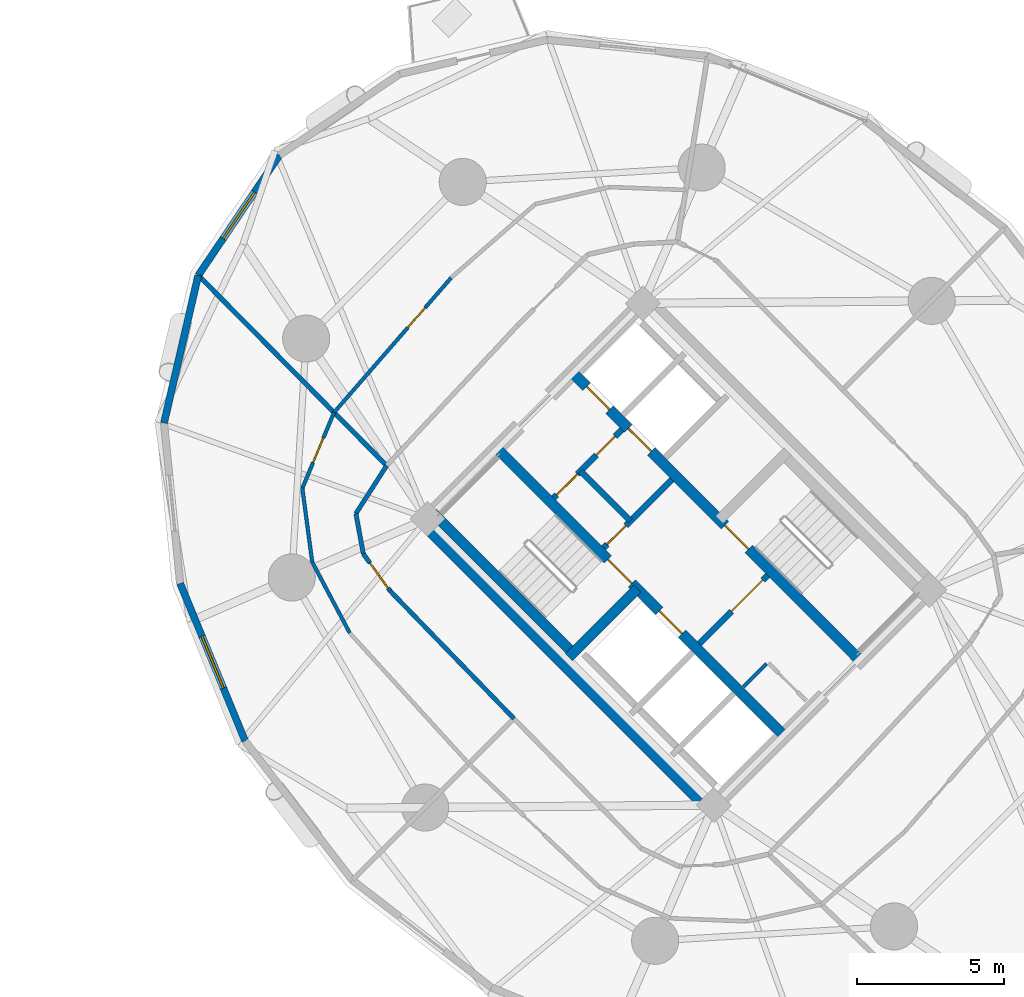
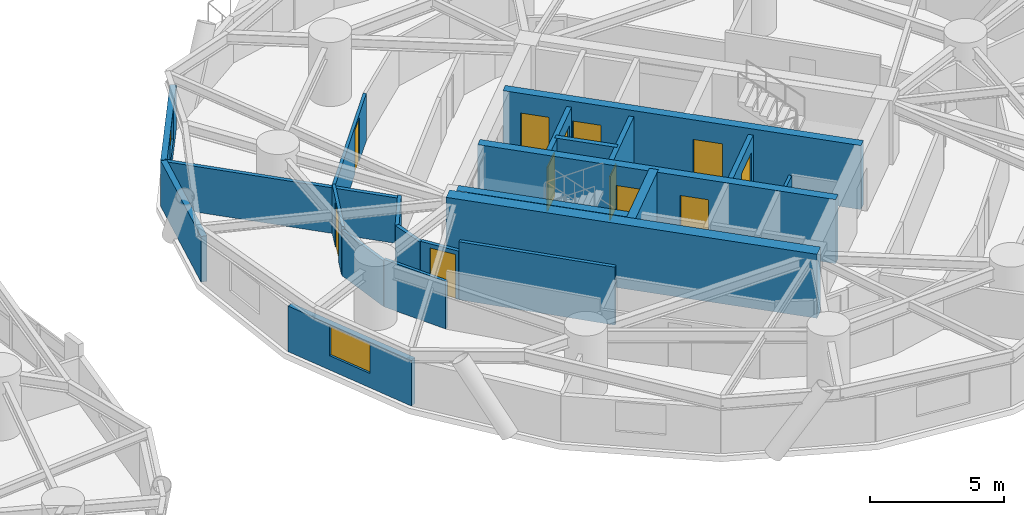
# One storey, part 12 of 17: 22 walls, 12 doors, 2 windows, 14 openings.
"""IFC4 building model written with IfcOpenShell, lengths in metres."""

from ifc_helpers import new_model, si_unit, direction, frame, frame_2d, origin, place, context, subcontext, project, spatial, rectangle, extrude, source, transform, mapped, material, layer, layer_set, type_object, element, fill, save


model = new_model("IFC4")

# Units and contexts
model_context = context("Model", 3, precision=1e-05, world=origin(), true_north=direction((0.0, 1.0)))
body_context = subcontext(model_context, "Body", "Model", "MODEL_VIEW")
ifc_project = project(units=[si_unit("LENGTHUNIT", "METRE"), si_unit("AREAUNIT", "SQUARE_METRE"), si_unit("VOLUMEUNIT", "CUBIC_METRE"), si_unit("PLANEANGLEUNIT", "RADIAN"), si_unit("MASSUNIT", "GRAM", prefix="KILO")], contexts=[model_context])

# Site, building, storey
site_placement = place(None, origin())
site = spatial("IfcSite", under=ifc_project, at=site_placement, CompositionType="ELEMENT")
building_placement = place(site_placement, origin())
building = spatial("IfcBuilding", under=site, at=building_placement, Name="Cununo Teusaquillo Station Towers", CompositionType="ELEMENT")
storey_placement = place(building_placement, frame((0.0, 0.0, 59.830078125)))
storey = spatial("IfcBuildingStorey", under=building, at=storey_placement, Name="L18", CompositionType="ELEMENT", Elevation=59.830078125)

# Wall, openings, doors
ifc_material_1 = material(Name="Concrete C50/60", Category="concrete")
ifc_layer_1 = layer(ifc_material_1, 0.35009765625)
ifc_layer_set_1 = layer_set([ifc_layer_1], Name="Concrete C50/60")
wall_type_1 = type_object("IfcWallType", Name="WL-CORE-350", PredefinedType="SHEAR", material=ifc_layer_set_1)
wall_1_placement = place(storey_placement, frame((61.095703125, 18.337646484375, 0.0), z_axis=(0.0, 0.0, 1.0), x_axis=(-0.707106781187, 0.707106781187, 0.0)))
wall_1 = element("IfcWall", 1, at=wall_1_placement, inside=storey, type_object=wall_type_1, Name="L18 Tower B Core Shear Wall IW", PredefinedType="SHEAR", context=body_context, shape_type="SweptSolid", body=[
    extrude(rectangle(XDim=13.800048828125, YDim=0.35009765625, at=frame_2d((6.89990234375, 0.0))), origin(), (0.0, 0.0, 1.0), 2.909912109375),
])
shared_shape_1 = source(origin(), body_context, "Body", "SweptSolid", [
    extrude(rectangle(XDim=1.10009765625, YDim=2.014892578125, at=frame_2d((0.550048828125, 1.00732421875))), frame((0.0, 0.18505859375, 0.0), z_axis=(0.0, -1.0, 0.0), x_axis=(1.0, 0.0, 0.0)), (0.0, 0.0, 1.0), 0.3701171875),
])
opening_1_placement = place(wall_1_placement, frame((4.89990234375, 0.0, 0.0)))
opening_1 = element("IfcOpeningElement", 2, at=opening_1_placement, cuts=wall_1, Name="Opening LD-01", PredefinedType="OPENING", context=body_context, shape_type="MappedRepresentation", body=[
    mapped(shared_shape_1, transform((0.0, 0.0, 0.0), x_axis=(1.0, 0.0, 0.0), y_axis=(0.0, 1.0, 0.0), z_axis=(0.0, 0.0, 1.0), scale=1.0)),
])
shared_shape_2 = source(origin(), body_context, "Body", "SweptSolid", [
    extrude(rectangle(XDim=1.14990234375, YDim=2.02001953125, at=frame_2d((0.574951171875, 1.010009765625))), frame((0.0, 0.18505859375, 0.0), z_axis=(0.0, -1.0, 0.0), x_axis=(1.0, 0.0, 0.0)), (0.0, 0.0, 1.0), 0.3701171875),
])
opening_2_placement = place(wall_1_placement, frame((7.320068359375, 0.0, 0.0)))
opening_2 = element("IfcOpeningElement", 3, at=opening_2_placement, cuts=wall_1, Name="Opening D-ST1", PredefinedType="OPENING", context=body_context, shape_type="MappedRepresentation", body=[
    mapped(shared_shape_2, transform((0.0, 0.0, 0.0), x_axis=(1.0, 0.0, 0.0), y_axis=(0.0, 1.0, 0.0), z_axis=(0.0, 0.0, 1.0), scale=1.0)),
])
ifc_material_2 = material(Name="Galvanised fire-rated hollow steel door assembly", Category="steel")
door_type_1 = type_object("IfcDoorType", Name="DR-LIFT-1100", OperationType="SLIDING_TO_LEFT", PredefinedType="DOOR", material=ifc_material_2)
shared_shape_3 = source(origin(), body_context, "Body", "SweptSolid", [
    extrude(rectangle(XDim=1.10009765625, YDim=2.014892578125, at=frame_2d((0.550048828125, 1.00732421875))), frame((0.0, 0.02490234375, 0.0), z_axis=(0.0, -1.0, 0.0), x_axis=(1.0, 0.0, 0.0)), (0.0, 0.0, 1.0), 0.050048828125),
])
door_1_placement = place(opening_1_placement, origin())
door_1 = element("IfcDoor", 4, at=door_1_placement, inside=storey, type_object=door_type_1, Name="L18 Lift FL-T2 Sliding Landing Door", OperationType="SLIDING_TO_RIGHT", OverallHeight=2.014892578125, OverallWidth=1.10009765625, PredefinedType="DOOR", context=body_context, shape_type="MappedRepresentation", body=[
    mapped(shared_shape_3, transform((0.0, 0.0, 0.0), x_axis=(1.0, 0.0, 0.0), y_axis=(0.0, 1.0, 0.0), z_axis=(0.0, 0.0, 1.0), scale=1.0)),
])
fill(opening_1, door_1)
ifc_material_3 = material(Name="Galvanised fire-rated hollow steel door assembly", Category="steel")
door_type_2 = type_object("IfcDoorType", Name="DR-STAIR-1150", OperationType="NOTDEFINED", PredefinedType="DOOR", material=ifc_material_3)
shared_shape_4 = source(origin(), body_context, "Body", "SweptSolid", [
    extrude(rectangle(XDim=1.14990234375, YDim=2.02001953125, at=frame_2d((0.574951171875, 1.010009765625))), frame((0.0, 0.02490234375, 0.0), z_axis=(0.0, -1.0, 0.0), x_axis=(1.0, 0.0, 0.0)), (0.0, 0.0, 1.0), 0.050048828125),
])
door_2_placement = place(opening_2_placement, origin())
door_2 = element("IfcDoor", 5, at=door_2_placement, inside=storey, type_object=door_type_2, Name="L18 Tower B Exit Stair 1 Fire Door", OperationType="SINGLE_SWING_RIGHT", OverallHeight=2.02001953125, OverallWidth=1.14990234375, PredefinedType="DOOR", context=body_context, shape_type="MappedRepresentation", body=[
    mapped(shared_shape_4, transform((0.0, 0.0, 0.0), x_axis=(1.0, 0.0, 0.0), y_axis=(0.0, 1.0, 0.0), z_axis=(0.0, 0.0, 1.0), scale=1.0)),
])
fill(opening_2, door_2)

wall_2_placement = place(storey_placement, frame((63.662353515625, 20.904296875, 0.0), z_axis=(0.0, 0.0, 1.0), x_axis=(-0.707106781187, 0.707106781187, 0.0)))
wall_2 = element("IfcWall", 6, at=wall_2_placement, inside=storey, type_object=wall_type_1, Name="L18 Tower B Core Shear Wall IE", PredefinedType="SHEAR", context=body_context, shape_type="SweptSolid", body=[
    extrude(rectangle(XDim=13.800048828125, YDim=0.35009765625, at=frame_2d((6.89990234375, 0.0))), origin(), (0.0, 0.0, 1.0), 2.909912109375),
])
opening_3_placement = place(wall_2_placement, frame((10.02490234375, 0.0, 0.0)))
opening_3 = element("IfcOpeningElement", 7, at=opening_3_placement, cuts=wall_2, Name="Opening LD-01", PredefinedType="OPENING", context=body_context, shape_type="MappedRepresentation", body=[
    mapped(shared_shape_1, transform((0.0, 0.0, 0.0), x_axis=(1.0, 0.0, 0.0), y_axis=(0.0, 1.0, 0.0), z_axis=(0.0, 0.0, 1.0), scale=1.0)),
])
opening_4_placement = place(wall_2_placement, frame((12.02490234375, 0.0, 0.0)))
opening_4 = element("IfcOpeningElement", 8, at=opening_4_placement, cuts=wall_2, Name="Opening LD-01", PredefinedType="OPENING", context=body_context, shape_type="MappedRepresentation", body=[
    mapped(shared_shape_1, transform((0.0, 0.0, 0.0), x_axis=(1.0, 0.0, 0.0), y_axis=(0.0, 1.0, 0.0), z_axis=(0.0, 0.0, 1.0), scale=1.0)),
])
opening_5_placement = place(wall_2_placement, frame((5.330078125, 0.0, 0.0)))
opening_5 = element("IfcOpeningElement", 9, at=opening_5_placement, cuts=wall_2, Name="Opening D-ST1", PredefinedType="OPENING", context=body_context, shape_type="MappedRepresentation", body=[
    mapped(shared_shape_2, transform((0.0, 0.0, 0.0), x_axis=(1.0, 0.0, 0.0), y_axis=(0.0, 1.0, 0.0), z_axis=(0.0, 0.0, 1.0), scale=1.0)),
])
door_3_placement = place(opening_3_placement, origin())
door_3 = element("IfcDoor", 10, at=door_3_placement, inside=storey, type_object=door_type_1, Name="L18 Lift PL-T2-L1 Sliding Landing Door", OperationType="SLIDING_TO_LEFT", OverallHeight=2.014892578125, OverallWidth=1.10009765625, PredefinedType="DOOR", context=body_context, shape_type="MappedRepresentation", body=[
    mapped(shared_shape_3, transform((0.0, 0.0, 0.0), x_axis=(1.0, 0.0, 0.0), y_axis=(0.0, 1.0, 0.0), z_axis=(0.0, 0.0, 1.0), scale=1.0)),
])
fill(opening_3, door_3)
door_4_placement = place(opening_4_placement, origin())
door_4 = element("IfcDoor", 11, at=door_4_placement, inside=storey, type_object=door_type_1, Name="L18 Lift PL-T2-L2 Sliding Landing Door", OperationType="SLIDING_TO_RIGHT", OverallHeight=2.014892578125, OverallWidth=1.10009765625, PredefinedType="DOOR", context=body_context, shape_type="MappedRepresentation", body=[
    mapped(shared_shape_3, transform((0.0, 0.0, 0.0), x_axis=(1.0, 0.0, 0.0), y_axis=(0.0, 1.0, 0.0), z_axis=(0.0, 0.0, 1.0), scale=1.0)),
])
fill(opening_4, door_4)
door_5_placement = place(opening_5_placement, origin())
door_5 = element("IfcDoor", 12, at=door_5_placement, inside=storey, type_object=door_type_2, Name="L18 Tower B Exit Stair 2 Fire Door", OperationType="SINGLE_SWING_LEFT", OverallHeight=2.02001953125, OverallWidth=1.14990234375, PredefinedType="DOOR", context=body_context, shape_type="MappedRepresentation", body=[
    mapped(shared_shape_4, transform((0.0, 0.0, 0.0), x_axis=(1.0, 0.0, 0.0), y_axis=(0.0, 1.0, 0.0), z_axis=(0.0, 0.0, 1.0), scale=1.0)),
])
fill(opening_5, door_5)

# Walls
wall_3_placement = place(storey_placement, frame((53.922119140625, 21.14111328125, 0.0), z_axis=(0.0, 0.0, 1.0), x_axis=(-0.707106781187, 0.707106781187, 0.0)))
element("IfcWall", 13, at=wall_3_placement, inside=storey, type_object=wall_type_1, Name="L18 Tower B Core Shear Wall ST1W", PredefinedType="SHEAR", context=body_context, shape_type="SweptSolid", body=[
    extrude(rectangle(XDim=6.7451171875, YDim=0.35009765625, at=frame_2d((3.37255859375, 0.0))), origin(), (0.0, 0.0, 1.0), 2.909912109375),
])
wall_4_placement = place(storey_placement, frame((53.7841796875, 21.00341796875, 0.0), z_axis=(0.0, 0.0, 1.0), x_axis=(0.707106781187, 0.707106781187, 0.0)))
element("IfcWall", 14, at=wall_4_placement, inside=storey, type_object=wall_type_1, Name="L18 Tower B Core Shear Wall ST1S", PredefinedType="SHEAR", context=body_context, shape_type="SweptSolid", body=[
    extrude(rectangle(XDim=3.284912109375, YDim=0.35009765625, at=frame_2d((1.642578125, 0.0))), origin(), (0.0, 0.0, 1.0), 2.909912109375),
])
ifc_material_4 = material(Name="Concrete C60/75", Category="concrete")
ifc_layer_2 = layer(ifc_material_4, 0.5)
ifc_layer_set_2 = layer_set([ifc_layer_2], Name="Concrete C60/75")
wall_type_2 = type_object("IfcWallType", Name="WL-CORE-500", PredefinedType="SHEAR", material=ifc_layer_set_2)
wall_5_placement = place(storey_placement, frame((58.772705078125, 15.6611328125, 0.0), z_axis=(0.0, 0.0, 1.0), x_axis=(-0.707106781187, 0.707106781187, 0.0)))
element("IfcWall", 15, at=wall_5_placement, inside=storey, type_object=wall_type_2, Name="L18 Tower B Core Shear Wall W", PredefinedType="SHEAR", context=body_context, shape_type="SweptSolid", body=[
    extrude(rectangle(XDim=14.2998046875, YDim=0.5, at=frame_2d((7.14990234375, 0.0))), origin(), (0.0, 0.0, 1.0), 2.909912109375),
])

# Wall, opening, window
ifc_material_5 = material(Name="Precast concrete C40/50", Category="concrete")
ifc_layer_3 = layer(ifc_material_5, 0.239990234375)
ifc_layer_set_3 = layer_set([ifc_layer_3], Name="Precast concrete C40/50")
wall_type_3 = type_object("IfcWallType", Name="WL-EXT-240", PredefinedType="SOLIDWALL", material=ifc_layer_set_3)
wall_6_placement = place(storey_placement, frame((41.185791015625, 33.969482421875, 0.0), z_axis=(0.0, 0.0, 1.0), x_axis=(0.559638693991, 0.828736708604, 0.0)))
wall_6 = element("IfcWall", 16, at=wall_6_placement, inside=storey, type_object=wall_type_3, Name="L18 Tower B Exterior Facade Wall C05", PredefinedType="SOLIDWALL", context=body_context, shape_type="SweptSolid", body=[
    extrude(rectangle(XDim=4.929931640625, YDim=0.239990234375, at=frame_2d((2.46484375, 0.0))), origin(), (0.0, 0.0, 1.0), 2.072998046875),
])
shared_shape_5 = source(origin(), body_context, "Body", "SweptSolid", [
    extrude(rectangle(XDim=1.89990234375, YDim=1.35009765625, at=frame_2d((0.949951171875, 0.675048828125))), frame((0.0, 0.1298828125, 0.0), z_axis=(0.0, -1.0, 0.0), x_axis=(1.0, 0.0, 0.0)), (0.0, 0.0, 1.0), 0.260009765625),
])
opening_6_placement = place(wall_6_placement, frame((1.514892578125, 0.0, 0.64990234375)))
opening_6 = element("IfcOpeningElement", 17, at=opening_6_placement, cuts=wall_6, Name="Opening WN-02", PredefinedType="OPENING", context=body_context, shape_type="MappedRepresentation", body=[
    mapped(shared_shape_5, transform((0.0, 0.0, 0.0), x_axis=(1.0, 0.0, 0.0), y_axis=(0.0, 1.0, 0.0), z_axis=(0.0, 0.0, 1.0), scale=1.0)),
])
ifc_material_6 = material(Name="Operable acoustic tinted low-E double glazing", Category="glass")
window_type = type_object("IfcWindowType", Name="WIN-OPER-1900", PartitioningType="DOUBLE_PANEL_VERTICAL", PredefinedType="WINDOW", material=ifc_material_6)
shared_shape_6 = source(origin(), body_context, "Body", "SweptSolid", [
    extrude(rectangle(XDim=1.89990234375, YDim=1.35009765625, at=frame_2d((0.949951171875, 0.675048828125))), frame((0.0, 0.030029296875, 0.0), z_axis=(0.0, -1.0, 0.0), x_axis=(1.0, 0.0, 0.0)), (0.0, 0.0, 1.0), 0.06005859375),
])
window_1_placement = place(opening_6_placement, origin())
window_1 = element("IfcWindow", 18, at=window_1_placement, inside=storey, type_object=window_type, Name="L18 Tower B Facade Window C05", OverallHeight=1.35009765625, OverallWidth=1.89990234375, PartitioningType="DOUBLE_PANEL_VERTICAL", PredefinedType="WINDOW", context=body_context, shape_type="MappedRepresentation", body=[
    mapped(shared_shape_6, transform((0.0, 0.0, 0.0), x_axis=(1.0, 0.0, 0.0), y_axis=(0.0, 1.0, 0.0), z_axis=(0.0, 0.0, 1.0), scale=1.0)),
])
fill(opening_6, window_1)

# Wall
wall_7_placement = place(storey_placement, frame((40.023681640625, 28.95654296875, 0.0), z_axis=(0.0, 0.0, 1.0), x_axis=(0.225833060959, 0.974166016949, 0.0)))
element("IfcWall", 19, at=wall_7_placement, inside=storey, type_object=wall_type_3, Name="L18 Tower B Exterior Facade Wall C06", PredefinedType="SOLIDWALL", context=body_context, shape_type="SweptSolid", body=[
    extrude(rectangle(XDim=5.14599609375, YDim=0.239990234375, at=frame_2d((2.572998046875, 0.0))), origin(), (0.0, 0.0, 1.0), 2.072998046875),
])

# Wall, opening, window
wall_8_placement = place(storey_placement, frame((42.77783203125, 18.155517578125, 0.0), z_axis=(0.0, 0.0, 1.0), x_axis=(-0.381027682565, 0.924563629567, 0.0)))
wall_8 = element("IfcWall", 20, at=wall_8_placement, inside=storey, type_object=wall_type_3, Name="L18 Tower B Exterior Facade Wall C08", PredefinedType="SOLIDWALL", context=body_context, shape_type="SweptSolid", body=[
    extrude(rectangle(XDim=5.78857421875, YDim=0.239990234375, at=frame_2d((2.894287109375, 0.0))), origin(), (0.0, 0.0, 1.0), 2.072998046875),
])
opening_7_placement = place(wall_8_placement, frame((1.944091796875, 0.0, 0.64990234375)))
opening_7 = element("IfcOpeningElement", 21, at=opening_7_placement, cuts=wall_8, Name="Opening WN-02", PredefinedType="OPENING", context=body_context, shape_type="MappedRepresentation", body=[
    mapped(shared_shape_5, transform((0.0, 0.0, 0.0), x_axis=(1.0, 0.0, 0.0), y_axis=(0.0, 1.0, 0.0), z_axis=(0.0, 0.0, 1.0), scale=1.0)),
])
window_2_placement = place(opening_7_placement, origin())
window_2 = element("IfcWindow", 22, at=window_2_placement, inside=storey, type_object=window_type, Name="L18 Tower B Facade Window C08", OverallHeight=1.35009765625, OverallWidth=1.89990234375, PartitioningType="DOUBLE_PANEL_VERTICAL", PredefinedType="WINDOW", context=body_context, shape_type="MappedRepresentation", body=[
    mapped(shared_shape_6, transform((0.0, 0.0, 0.0), x_axis=(1.0, 0.0, 0.0), y_axis=(0.0, 1.0, 0.0), z_axis=(0.0, 0.0, 1.0), scale=1.0)),
])
fill(opening_7, window_2)

# Wall
ifc_material_7 = material(Name="Fire-rated gypsum plasterboard partition assembly", Category="gypsum")
ifc_layer_4 = layer(ifc_material_7, 0.125)
ifc_layer_set_4 = layer_set([ifc_layer_4], Name="Fire-rated gypsum plasterboard partition assembly")
wall_type_4 = type_object("IfcWallType", Name="WL-PART-125", PredefinedType="PARTITIONING", material=ifc_layer_set_4)
wall_9_placement = place(storey_placement, frame((59.713134765625, 19.99560546875, 0.0), z_axis=(0.0, 0.0, 1.0), x_axis=(0.707217726, 0.706995818963, 0.0)))
element("IfcWall", 23, at=wall_9_placement, inside=storey, type_object=wall_type_4, Name="L18 Tower B South-West Compact Store North Wall", PredefinedType="PARTITIONING", context=body_context, shape_type="SweptSolid", body=[
    extrude(rectangle(XDim=1.10009765625, YDim=0.125, at=frame_2d((0.550048828125, 0.0))), origin(), (0.0, 0.0, 1.0), 2.635009765625),
])

# Wall, opening, door
wall_10_placement = place(storey_placement, frame((49.77978515625, 33.89306640625, 0.0), z_axis=(0.0, 0.0, 1.0), x_axis=(-0.656115925284, -0.754660117264, 0.0)))
wall_10 = element("IfcWall", 24, at=wall_10_placement, inside=storey, type_object=wall_type_4, Name="L18 Tower B Hotel Private Banquet Salon Concentric Partition Wall C05", PredefinedType="PARTITIONING", context=body_context, shape_type="SweptSolid", body=[
    extrude(rectangle(XDim=6.06494140625, YDim=0.125, at=frame_2d((3.032470703125, 0.0))), origin(), (0.0, 0.0, 1.0), 2.158935546875),
])
shared_shape_7 = source(origin(), body_context, "Body", "SweptSolid", [
    extrude(rectangle(XDim=0.89990234375, YDim=2.0048828125, at=frame_2d((0.449951171875, 1.00244140625))), frame((0.0, 0.072509765625, 0.0), z_axis=(0.0, -1.0, 0.0), x_axis=(1.0, 0.0, 0.0)), (0.0, 0.0, 1.0), 0.14501953125),
])
opening_8_placement = place(wall_10_placement, frame((1.351318359375, 0.0, 0.0)))
opening_8 = element("IfcOpeningElement", 25, at=opening_8_placement, cuts=wall_10, Name="Opening D-IN1", PredefinedType="OPENING", context=body_context, shape_type="MappedRepresentation", body=[
    mapped(shared_shape_7, transform((0.0, 0.0, 0.0), x_axis=(1.0, 0.0, 0.0), y_axis=(0.0, 1.0, 0.0), z_axis=(0.0, 0.0, 1.0), scale=1.0)),
])
ifc_material_8 = material(Name="Acoustic solid-core hardwood leaf assembly", Category="wood")
door_type_3 = type_object("IfcDoorType", Name="DR-INT-900", OperationType="NOTDEFINED", PredefinedType="DOOR", material=ifc_material_8)
shared_shape_8 = source(origin(), body_context, "Body", "SweptSolid", [
    extrude(rectangle(XDim=0.89990234375, YDim=2.0048828125, at=frame_2d((0.449951171875, 1.00244140625))), frame((0.0, 0.02490234375, 0.0), z_axis=(0.0, -1.0, 0.0), x_axis=(1.0, 0.0, 0.0)), (0.0, 0.0, 1.0), 0.050048828125),
])
door_6_placement = place(opening_8_placement, origin())
door_6 = element("IfcDoor", 26, at=door_6_placement, inside=storey, type_object=door_type_3, Name="L18 Tower B Hotel Private Banquet Salon Connecting Door", OperationType="SINGLE_SWING_LEFT", OverallHeight=2.0048828125, OverallWidth=0.89990234375, PredefinedType="DOOR", context=body_context, shape_type="MappedRepresentation", body=[
    mapped(shared_shape_8, transform((0.0, 0.0, 0.0), x_axis=(1.0, 0.0, 0.0), y_axis=(0.0, 1.0, 0.0), z_axis=(0.0, 0.0, 1.0), scale=1.0)),
])
fill(opening_8, door_6)

wall_11_placement = place(storey_placement, frame((45.800537109375, 29.316162109375, 0.0), z_axis=(0.0, 0.0, 1.0), x_axis=(-0.386006506755, -0.922496057847, 0.0)))
wall_11 = element("IfcWall", 27, at=wall_11_placement, inside=storey, type_object=wall_type_4, Name="L18 Tower B Hotel Concierge & Library Club Concentric Partition Wall C06", PredefinedType="PARTITIONING", context=body_context, shape_type="SweptSolid", body=[
    extrude(rectangle(XDim=2.79052734375, YDim=0.125, at=frame_2d((1.395263671875, 0.0))), origin(), (0.0, 0.0, 1.0), 2.204833984375),
])
opening_9_placement = place(wall_11_placement, frame((0.9453125, 0.0, 0.0)))
opening_9 = element("IfcOpeningElement", 28, at=opening_9_placement, cuts=wall_11, Name="Opening D-IN1", PredefinedType="OPENING", context=body_context, shape_type="MappedRepresentation", body=[
    mapped(shared_shape_7, transform((0.0, 0.0, 0.0), x_axis=(1.0, 0.0, 0.0), y_axis=(0.0, 1.0, 0.0), z_axis=(0.0, 0.0, 1.0), scale=1.0)),
])
door_7_placement = place(opening_9_placement, origin())
door_7 = element("IfcDoor", 29, at=door_7_placement, inside=storey, type_object=door_type_3, Name="L18 Tower B Hotel Concierge & Library Club Connecting Door", OperationType="SINGLE_SWING_LEFT", OverallHeight=2.0048828125, OverallWidth=0.89990234375, PredefinedType="DOOR", context=body_context, shape_type="MappedRepresentation", body=[
    mapped(shared_shape_8, transform((0.0, 0.0, 0.0), x_axis=(1.0, 0.0, 0.0), y_axis=(0.0, 1.0, 0.0), z_axis=(0.0, 0.0, 1.0), scale=1.0)),
])
fill(opening_9, door_7)

# Walls
wall_12_placement = place(storey_placement, frame((44.723388671875, 26.741943359375, 0.0), z_axis=(0.0, 0.0, 1.0), x_axis=(0.132397420602, -0.991196712574, 0.0)))
element("IfcWall", 30, at=wall_12_placement, inside=storey, type_object=wall_type_4, Name="L18 Tower B Hotel Concierge & Library Club Concentric Partition Wall C07", PredefinedType="PARTITIONING", context=body_context, shape_type="SweptSolid", body=[
    extrude(rectangle(XDim=2.53173828125, YDim=0.125, at=frame_2d((1.265869140625, 0.0))), origin(), (0.0, 0.0, 1.0), 2.072998046875),
])
wall_13_placement = place(storey_placement, frame((45.05859375, 24.232421875, 0.0), z_axis=(0.0, 0.0, 1.0), x_axis=(0.467739245961, -0.883866504506, 0.0)))
element("IfcWall", 31, at=wall_13_placement, inside=storey, type_object=wall_type_4, Name="L18 Tower B Hotel Concierge & Library Club Concentric Partition Wall C08", PredefinedType="PARTITIONING", context=body_context, shape_type="SweptSolid", body=[
    extrude(rectangle(XDim=2.719970703125, YDim=0.125, at=frame_2d((1.35986328125, 0.0))), origin(), (0.0, 0.0, 1.0), 2.158935546875),
])
ifc_material_9 = material(Name="Fire-rated gypsum plasterboard partition assembly", Category="gypsum")
ifc_layer_5 = layer(ifc_material_9, 0.14990234375)
ifc_layer_set_5 = layer_set([ifc_layer_5], Name="Fire-rated gypsum plasterboard partition assembly")
wall_type_5 = type_object("IfcWallType", Name="WL-PART-150", PredefinedType="PARTITIONING", material=ifc_layer_set_5)
wall_14_placement = place(storey_placement, frame((47.58837890625, 27.51025390625, 0.0), z_axis=(0.0, 0.0, 1.0), x_axis=(-0.540202619347, -0.841534984449, 0.0)))
element("IfcWall", 32, at=wall_14_placement, inside=storey, type_object=wall_type_5, Name="L18 Tower B Corridor Ring Wall C06", PredefinedType="PARTITIONING", context=body_context, shape_type="SweptSolid", body=[
    extrude(rectangle(XDim=1.934814453125, YDim=0.14990234375, at=frame_2d((0.96728515625, 0.0))), origin(), (0.0, 0.0, 1.0), 2.158935546875),
])
wall_15_placement = place(storey_placement, frame((46.543212890625, 25.882080078125, 0.0), z_axis=(0.0, 0.0, 1.0), x_axis=(0.181153502579, -0.983454832976, 0.0)))
element("IfcWall", 33, at=wall_15_placement, inside=storey, type_object=wall_type_5, Name="L18 Tower B Corridor Ring Wall C07", PredefinedType="PARTITIONING", context=body_context, shape_type="SweptSolid", body=[
    extrude(rectangle(XDim=1.39208984375, YDim=0.14990234375, at=frame_2d((0.696044921875, 0.0))), origin(), (0.0, 0.0, 1.0), 2.158935546875),
])

# Wall, opening, door
wall_16_placement = place(storey_placement, frame((46.79541015625, 24.512939453125, 0.0), z_axis=(0.0, 0.0, 1.0), x_axis=(0.585628197524, -0.810579801294, 0.0)))
wall_16 = element("IfcWall", 34, at=wall_16_placement, inside=storey, type_object=wall_type_5, Name="L18 Tower B Corridor Ring Wall C08", PredefinedType="PARTITIONING", context=body_context, shape_type="SweptSolid", body=[
    extrude(rectangle(XDim=1.55419921875, YDim=0.14990234375, at=frame_2d((0.777099609375, 0.0))), origin(), (0.0, 0.0, 1.0), 2.204833984375),
])
shared_shape_9 = source(origin(), body_context, "Body", "SweptSolid", [
    extrude(rectangle(XDim=1.050048828125, YDim=2.014892578125, at=frame_2d((0.52490234375, 1.00732421875))), frame((0.0, 0.0849609375, 0.0), z_axis=(0.0, -1.0, 0.0), x_axis=(1.0, 0.0, 0.0)), (0.0, 0.0, 1.0), 0.169921875),
])
opening_10_placement = place(wall_16_placement, frame((0.384033203125, 0.0, 0.0)))
opening_10 = element("IfcOpeningElement", 35, at=opening_10_placement, cuts=wall_16, Name="Opening D-SU1", PredefinedType="OPENING", context=body_context, shape_type="MappedRepresentation", body=[
    mapped(shared_shape_9, transform((0.0, 0.0, 0.0), x_axis=(1.0, 0.0, 0.0), y_axis=(0.0, 1.0, 0.0), z_axis=(0.0, 0.0, 1.0), scale=1.0)),
])
ifc_material_10 = material(Name="Acoustic solid-core hardwood leaf assembly", Category="wood")
door_type_4 = type_object("IfcDoorType", Name="DR-SUITE-1050", OperationType="NOTDEFINED", PredefinedType="DOOR", material=ifc_material_10)
shared_shape_10 = source(origin(), body_context, "Body", "SweptSolid", [
    extrude(rectangle(XDim=1.050048828125, YDim=2.014892578125, at=frame_2d((0.52490234375, 1.00732421875))), frame((0.0, 0.02490234375, 0.0), z_axis=(0.0, -1.0, 0.0), x_axis=(1.0, 0.0, 0.0)), (0.0, 0.0, 1.0), 0.050048828125),
])
door_8_placement = place(opening_10_placement, origin())
door_8 = element("IfcDoor", 36, at=door_8_placement, inside=storey, type_object=door_type_4, Name="L18 Tower B Hotel Concierge & Library Club Entrance Door", OperationType="SINGLE_SWING_RIGHT", OverallHeight=2.014892578125, OverallWidth=1.050048828125, PredefinedType="DOOR", context=body_context, shape_type="MappedRepresentation", body=[
    mapped(shared_shape_10, transform((0.0, 0.0, 0.0), x_axis=(1.0, 0.0, 0.0), y_axis=(0.0, 1.0, 0.0), z_axis=(0.0, 0.0, 1.0), scale=1.0)),
])
fill(opening_10, door_8)

# Walls
wall_17_placement = place(storey_placement, frame((47.70556640625, 23.253173828125, 0.0), z_axis=(0.0, 0.0, 1.0), x_axis=(0.696179266346, -0.717867974707, 0.0)))
element("IfcWall", 37, at=wall_17_placement, inside=storey, type_object=wall_type_5, Name="L18 Tower B Corridor Ring Wall C09", PredefinedType="PARTITIONING", context=body_context, shape_type="SweptSolid", body=[
    extrude(rectangle(XDim=6.044677734375, YDim=0.14990234375, at=frame_2d((3.0224609375, 0.0))), origin(), (0.0, 0.0, 1.0), 2.635009765625),
])
ifc_material_11 = material(Name="Fire-rated gypsum plasterboard partition assembly", Category="gypsum")
ifc_layer_6 = layer(ifc_material_11, 0.159912109375)
ifc_layer_set_6 = layer_set([ifc_layer_6], Name="Fire-rated gypsum plasterboard partition assembly")
wall_type_6 = type_object("IfcWallType", Name="WL-PART-160", PredefinedType="PARTITIONING", material=ifc_layer_set_6)
wall_18_placement = place(storey_placement, frame((47.58837890625, 27.51025390625, 0.0), z_axis=(0.0, 0.0, 1.0), x_axis=(-0.703506421614, 0.710688901523, 0.0)))
element("IfcWall", 38, at=wall_18_placement, inside=storey, type_object=wall_type_6, Name="L18 Tower B Radial Suite Partition R03", PredefinedType="PARTITIONING", context=body_context, shape_type="SweptSolid", body=[
    extrude(rectangle(XDim=9.07568359375, YDim=0.159912109375, at=frame_2d((4.537841796875, 0.0))), origin(), (0.0, 0.0, 1.0), 2.072998046875),
])

# Wall, opening, door
ifc_material_12 = material(Name="Fire-rated gypsum plasterboard partition assembly", Category="gypsum")
ifc_layer_7 = layer(ifc_material_12, 0.199951171875)
ifc_layer_set_7 = layer_set([ifc_layer_7], Name="Fire-rated gypsum plasterboard partition assembly")
wall_type_7 = type_object("IfcWallType", Name="WL-PART-200", PredefinedType="PARTITIONING", material=ifc_layer_set_7)
wall_19_placement = place(storey_placement, frame((58.214111328125, 21.466552734375, 0.0), z_axis=(0.0, 0.0, 1.0), x_axis=(0.707106781187, 0.707106781187, 0.0)))
wall_19 = element("IfcWall", 39, at=wall_19_placement, inside=storey, type_object=wall_type_7, Name="L18 Tower B Firefighting Lift Lobby South Fire Wall", PredefinedType="PARTITIONING", context=body_context, shape_type="SweptSolid", body=[
    extrude(rectangle(XDim=3.280029296875, YDim=0.199951171875, at=frame_2d((1.64013671875, 0.0))), origin(), (0.0, 0.0, 1.0), 2.635009765625),
])
shared_shape_11 = source(origin(), body_context, "Body", "SweptSolid", [
    extrude(rectangle(XDim=1.5, YDim=2.02001953125, at=frame_2d((0.75, 1.010009765625))), frame((0.0, 0.10986328125, 0.0), z_axis=(0.0, -1.0, 0.0), x_axis=(1.0, 0.0, 0.0)), (0.0, 0.0, 1.0), 0.219970703125),
])
opening_11_placement = place(wall_19_placement, frame((1.550048828125, 0.0, 0.0)))
opening_11 = element("IfcOpeningElement", 40, at=opening_11_placement, cuts=wall_19, Name="Opening D-LB1", PredefinedType="OPENING", context=body_context, shape_type="MappedRepresentation", body=[
    mapped(shared_shape_11, transform((0.0, 0.0, 0.0), x_axis=(1.0, 0.0, 0.0), y_axis=(0.0, 1.0, 0.0), z_axis=(0.0, 0.0, 1.0), scale=1.0)),
])
ifc_material_13 = material(Name="Galvanised fire-rated hollow steel door assembly", Category="steel")
door_type_5 = type_object("IfcDoorType", Name="DR-LOBBY-1500", OperationType="DOUBLE_DOOR_SINGLE_SWING", PredefinedType="DOOR", material=ifc_material_13)
shared_shape_12 = source(origin(), body_context, "Body", "SweptSolid", [
    extrude(rectangle(XDim=1.5, YDim=2.02001953125, at=frame_2d((0.75, 1.010009765625))), frame((0.0, 0.02490234375, 0.0), z_axis=(0.0, -1.0, 0.0), x_axis=(1.0, 0.0, 0.0)), (0.0, 0.0, 1.0), 0.050048828125),
])
door_9_placement = place(opening_11_placement, origin())
door_9 = element("IfcDoor", 41, at=door_9_placement, inside=storey, type_object=door_type_5, Name="L18 Tower B Firefighting Lift Lobby South Fire Door", OperationType="DOUBLE_DOOR_SINGLE_SWING", OverallHeight=2.02001953125, OverallWidth=1.5, PredefinedType="DOOR", context=body_context, shape_type="MappedRepresentation", body=[
    mapped(shared_shape_12, transform((0.0, 0.0, 0.0), x_axis=(1.0, 0.0, 0.0), y_axis=(0.0, 1.0, 0.0), z_axis=(0.0, 0.0, 1.0), scale=1.0)),
])
fill(opening_11, door_9)

wall_20_placement = place(storey_placement, frame((54.96142578125, 24.71923828125, 0.0), z_axis=(0.0, 0.0, 1.0), x_axis=(0.707106781187, 0.707106781187, 0.0)))
wall_20 = element("IfcWall", 42, at=wall_20_placement, inside=storey, type_object=wall_type_7, Name="L18 Tower B Firefighting Lift Lobby North Fire Wall", PredefinedType="PARTITIONING", context=body_context, shape_type="SweptSolid", body=[
    extrude(rectangle(XDim=3.280029296875, YDim=0.199951171875, at=frame_2d((1.64013671875, 0.0))), origin(), (0.0, 0.0, 1.0), 2.635009765625),
])
shared_shape_13 = source(origin(), body_context, "Body", "SweptSolid", [
    extrude(rectangle(XDim=0.89990234375, YDim=2.0048828125, at=frame_2d((0.449951171875, 1.00244140625))), frame((0.0, 0.10986328125, 0.0), z_axis=(0.0, -1.0, 0.0), x_axis=(1.0, 0.0, 0.0)), (0.0, 0.0, 1.0), 0.219970703125),
])
opening_12_placement = place(wall_20_placement, frame((0.159912109375, 0.0, 0.0)))
opening_12 = element("IfcOpeningElement", 43, at=opening_12_placement, cuts=wall_20, Name="Opening D-SR1", PredefinedType="OPENING", context=body_context, shape_type="MappedRepresentation", body=[
    mapped(shared_shape_13, transform((0.0, 0.0, 0.0), x_axis=(1.0, 0.0, 0.0), y_axis=(0.0, 1.0, 0.0), z_axis=(0.0, 0.0, 1.0), scale=1.0)),
])
ifc_material_14 = material(Name="Galvanised fire-rated hollow steel door assembly", Category="steel")
door_type_6 = type_object("IfcDoorType", Name="DR-STORE-900", OperationType="NOTDEFINED", PredefinedType="DOOR", material=ifc_material_14)
door_10_placement = place(opening_12_placement, origin())
door_10 = element("IfcDoor", 44, at=door_10_placement, inside=storey, type_object=door_type_6, Name="L18 Tower B Stair 1 Protected Vestibule South Door", OperationType="SINGLE_SWING_RIGHT", OverallHeight=2.0048828125, OverallWidth=0.89990234375, PredefinedType="DOOR", context=body_context, shape_type="MappedRepresentation", body=[
    mapped(shared_shape_8, transform((0.0, 0.0, 0.0), x_axis=(1.0, 0.0, 0.0), y_axis=(0.0, 1.0, 0.0), z_axis=(0.0, 0.0, 1.0), scale=1.0)),
])
fill(opening_12, door_10)

# Wall
wall_21_placement = place(storey_placement, frame((55.873779296875, 25.63134765625, 0.0), z_axis=(0.0, 0.0, 1.0), x_axis=(-0.707157639372, 0.707055919343, 0.0)))
element("IfcWall", 45, at=wall_21_placement, inside=storey, type_object=wall_type_7, Name="L18 Tower B Stair 1 Vestibule Partition Wall", PredefinedType="PARTITIONING", context=body_context, shape_type="SweptSolid", body=[
    extrude(rectangle(XDim=2.400146484375, YDim=0.199951171875, at=frame_2d((1.2001953125, 0.0))), origin(), (0.0, 0.0, 1.0), 2.635009765625),
])

# Wall, openings, doors
wall_22_placement = place(storey_placement, frame((53.264404296875, 26.416259765625, 0.0), z_axis=(0.0, 0.0, 1.0), x_axis=(0.707106781187, 0.707106781187, 0.0)))
wall_22 = element("IfcWall", 46, at=wall_22_placement, inside=storey, type_object=wall_type_7, Name="L18 Tower B North Lift Lobby South Fire Wall", PredefinedType="PARTITIONING", context=body_context, shape_type="SweptSolid", body=[
    extrude(rectangle(XDim=3.280029296875, YDim=0.199951171875, at=frame_2d((1.64013671875, 0.0))), origin(), (0.0, 0.0, 1.0), 2.635009765625),
])
shared_shape_14 = source(origin(), body_context, "Body", "SweptSolid", [
    extrude(rectangle(XDim=1.0, YDim=2.014892578125, at=frame_2d((0.5, 1.00732421875))), frame((0.0, 0.10986328125, 0.0), z_axis=(0.0, -1.0, 0.0), x_axis=(1.0, 0.0, 0.0)), (0.0, 0.0, 1.0), 0.219970703125),
])
opening_13_placement = place(wall_22_placement, frame((0.139892578125, 0.0, 0.0)))
opening_13 = element("IfcOpeningElement", 47, at=opening_13_placement, cuts=wall_22, Name="Opening D-AC1", PredefinedType="OPENING", context=body_context, shape_type="MappedRepresentation", body=[
    mapped(shared_shape_14, transform((0.0, 0.0, 0.0), x_axis=(1.0, 0.0, 0.0), y_axis=(0.0, 1.0, 0.0), z_axis=(0.0, 0.0, 1.0), scale=1.0)),
])
opening_14_placement = place(wall_22_placement, frame((2.050048828125, 0.0, 0.0)))
opening_14 = element("IfcOpeningElement", 48, at=opening_14_placement, cuts=wall_22, Name="Opening D-SR1", PredefinedType="OPENING", context=body_context, shape_type="MappedRepresentation", body=[
    mapped(shared_shape_13, transform((0.0, 0.0, 0.0), x_axis=(1.0, 0.0, 0.0), y_axis=(0.0, 1.0, 0.0), z_axis=(0.0, 0.0, 1.0), scale=1.0)),
])
door_11_placement = place(opening_14_placement, origin())
door_11 = element("IfcDoor", 49, at=door_11_placement, inside=storey, type_object=door_type_6, Name="L18 Tower B Core Housekeeping & Linen Store Door", OperationType="SINGLE_SWING_LEFT", OverallHeight=2.0048828125, OverallWidth=0.89990234375, PredefinedType="DOOR", context=body_context, shape_type="MappedRepresentation", body=[
    mapped(shared_shape_8, transform((0.0, 0.0, 0.0), x_axis=(1.0, 0.0, 0.0), y_axis=(0.0, 1.0, 0.0), z_axis=(0.0, 0.0, 1.0), scale=1.0)),
])
fill(opening_14, door_11)
ifc_material_15 = material(Name="Acoustic solid-core hardwood leaf assembly", Category="wood")
door_type_7 = type_object("IfcDoorType", Name="DR-ACC-1000", OperationType="NOTDEFINED", PredefinedType="DOOR", material=ifc_material_15)
shared_shape_15 = source(origin(), body_context, "Body", "SweptSolid", [
    extrude(rectangle(XDim=1.0, YDim=2.014892578125, at=frame_2d((0.5, 1.00732421875))), frame((0.0, 0.02490234375, 0.0), z_axis=(0.0, -1.0, 0.0), x_axis=(1.0, 0.0, 0.0)), (0.0, 0.0, 1.0), 0.050048828125),
])
door_12_placement = place(opening_13_placement, origin())
door_12 = element("IfcDoor", 50, at=door_12_placement, inside=storey, type_object=door_type_7, Name="L18 Tower B North Lift Lobby to Stair 1 Vestibule Door", OperationType="SINGLE_SWING_LEFT", OverallHeight=2.014892578125, OverallWidth=1.0, PredefinedType="DOOR", context=body_context, shape_type="MappedRepresentation", body=[
    mapped(shared_shape_15, transform((0.0, 0.0, 0.0), x_axis=(1.0, 0.0, 0.0), y_axis=(0.0, 1.0, 0.0), z_axis=(0.0, 0.0, 1.0), scale=1.0)),
])
fill(opening_13, door_12)

save(model, "model.ifc")
